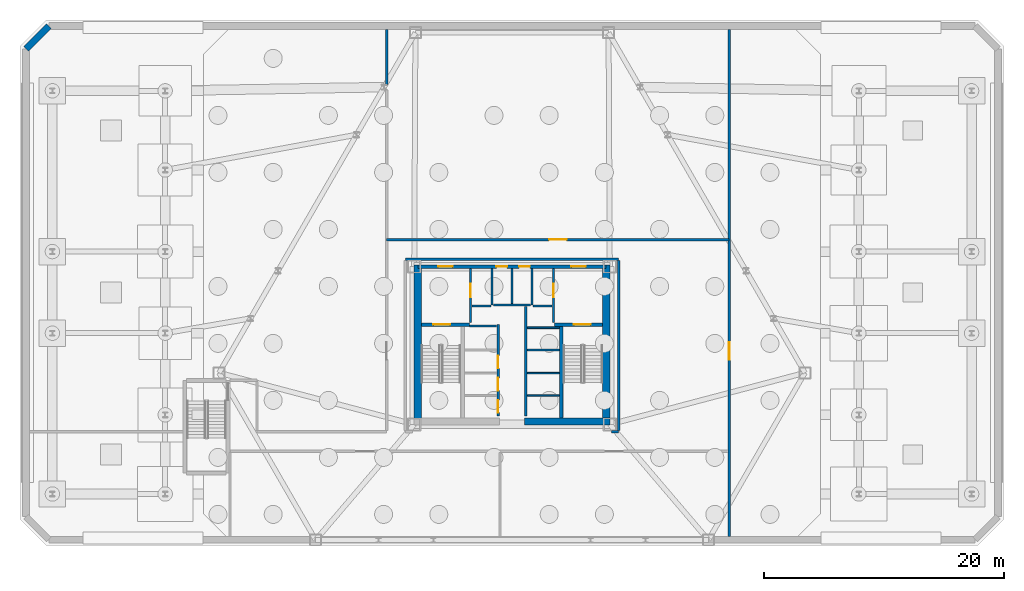
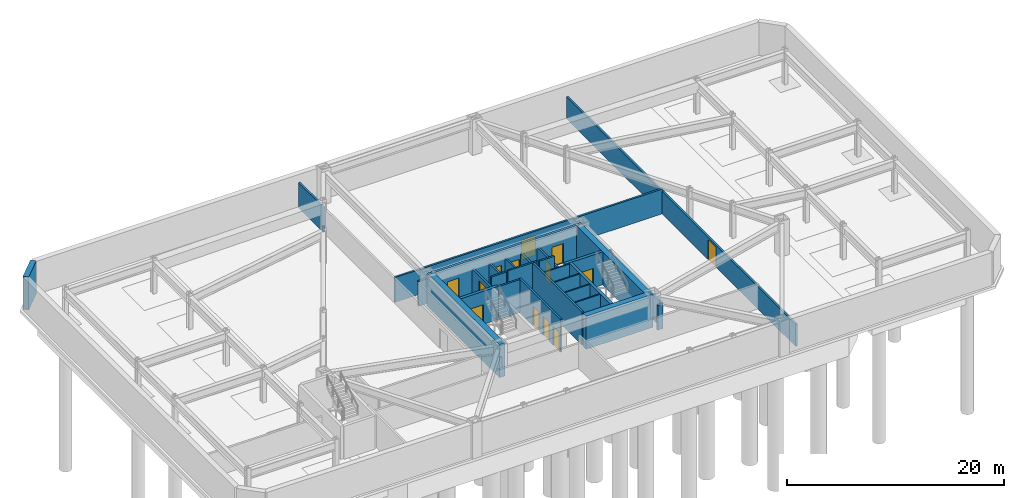
# One storey, part 6 of 8: 29 walls, 13 doors, 13 openings.
"""IFC4 building model written with IfcOpenShell, lengths in metres."""

import ifcopenshell
import ifcopenshell.guid

model = None  # the IFC model being written
_history = None  # IfcOwnerHistory: only IFC2X3 demands one
_inside = {}  # id of a spatial element -> (the spatial element, [elements in it])
_under = {}  # id of a project, library or spatial element -> (it, [spatial elements below it])
_declared = {}  # id of a project -> (the project, [libraries it declares])
_typed = {}  # id of a type object -> (the type object, [elements of that type])
_made_of = {}  # id of a material, layer set ... -> (it, [elements and type objects made of it])


def new_model(schema):
    """Start an empty IFC model of exactly this schema.

    Asked for "IFC4X3", IfcOpenShell would pick the latest addendum, in which some entities
    have other attributes; the version numbers below select the first issue.
    IFC2X3 requires an IfcOwnerHistory on every rooted entity: one is made here for all.
    """
    global model, _history
    if schema == "IFC4X3":
        model = ifcopenshell.file(schema_version=(4, 3, 0, 0))
    else:
        model = ifcopenshell.file(schema=schema)
    _inside.clear()
    _under.clear()
    _declared.clear()
    _typed.clear()
    _made_of.clear()
    _history = None
    if model.schema == "IFC2X3":
        org = make("IfcOrganization", Name="unknown")
        user = make(
            "IfcPersonAndOrganization",
            ThePerson=make("IfcPerson", FamilyName="unknown"),
            TheOrganization=org,
        )
        app = make(
            "IfcApplication",
            ApplicationDeveloper=org,
            Version="unknown",
            ApplicationFullName="unknown",
            ApplicationIdentifier="unknown",
        )
        _history = make(
            "IfcOwnerHistory",
            OwningUser=user,
            OwningApplication=app,
            ChangeAction="ADDED",
            CreationDate=0,
        )
    return model


def make(cls, **values):
    """One entity of the class cls with the attributes given. An attribute that is None is left unset."""
    return model.create_entity(
        cls, **{name: value for name, value in values.items() if value is not None}
    )


def rooted(cls, **values):
    """An entity with a GlobalId (a new one), such as an element, a storey or a relation."""
    return make(cls, GlobalId=ifcopenshell.guid.new(), OwnerHistory=_history, **values)


def si_unit(unit_type, name, prefix=None):
    """IfcSIUnit, for example si_unit("LENGTHUNIT", "METRE", prefix="MILLI")."""
    return make("IfcSIUnit", UnitType=unit_type, Prefix=prefix, Name=name)


def assignment(units):
    """IfcUnitAssignment: the units of a project."""
    return None if units is None else make("IfcUnitAssignment", Units=units)


def point(xyz):
    """IfcCartesianPoint."""
    return None if xyz is None else make("IfcCartesianPoint", Coordinates=xyz)


def direction(xyz):
    """IfcDirection."""
    return None if xyz is None else make("IfcDirection", DirectionRatios=xyz)


def frame(location, z_axis=None, x_axis=None):
    """IfcAxis2Placement3D, a coordinate frame: its origin and axes. An axis left out is left unset."""
    return make(
        "IfcAxis2Placement3D",
        Location=point(location),
        Axis=direction(z_axis),
        RefDirection=direction(x_axis),
    )


def frame_2d(location, x_axis=None):
    """IfcAxis2Placement2D, a coordinate frame in the plane: its origin and x axis."""
    return make(
        "IfcAxis2Placement2D", Location=point(location), RefDirection=direction(x_axis)
    )


def origin():
    """The frame at (0, 0, 0) with its axes left unset."""
    return frame((0.0, 0.0, 0.0))


def place(relative_to, where):
    """IfcLocalPlacement: puts the frame where relative to a parent placement (None: the world)."""
    return make(
        "IfcLocalPlacement", PlacementRelTo=relative_to, RelativePlacement=where
    )


def context(
    kind, dimensions, precision=None, world=None, true_north=None, identifier=None
):
    """IfcGeometricRepresentationContext, for example the 3D "Model" context."""
    return make(
        "IfcGeometricRepresentationContext",
        ContextIdentifier=identifier,
        ContextType=kind,
        CoordinateSpaceDimension=dimensions,
        Precision=precision,
        WorldCoordinateSystem=world,
        TrueNorth=true_north,
    )


def subcontext(parent, identifier, kind, view, scale=None):
    """IfcGeometricRepresentationSubContext, for example "Body" below "Model"."""
    return make(
        "IfcGeometricRepresentationSubContext",
        ContextIdentifier=identifier,
        ContextType=kind,
        ParentContext=parent,
        TargetScale=scale,
        TargetView=view,
    )


def project(units=None, contexts=None):
    """IfcProject with its units and contexts."""
    return rooted(
        "IfcProject",
        Name="project",
        RepresentationContexts=contexts,
        UnitsInContext=assignment(units),
    )


def spatial(cls, under=None, at=None, **own):
    """A site, building, storey or space (cls), placed at a placement, below another one or the project."""
    s = rooted(cls, ObjectPlacement=at, **own)
    if under is not None:
        _under.setdefault(under.id(), (under, []))[1].append(s)
    return s


def profile(cls, at=None, kind="AREA", **sizes):
    """A parametric profile (cls). Its sizes go by their IFC names, for example OverallWidth=200.0."""
    return make(cls, ProfileType=kind, Position=at, **sizes)


def rectangle(**sizes):
    """IfcRectangleProfileDef."""
    return profile("IfcRectangleProfileDef", **sizes)


def extrude(swept, where, along, depth):
    """IfcExtrudedAreaSolid: the profile swept, set in the frame where, extruded along a direction by depth."""
    return make(
        "IfcExtrudedAreaSolid",
        SweptArea=swept,
        Position=where,
        ExtrudedDirection=direction(along),
        Depth=depth,
    )


def shape(context_of_items, identifier, shape_type, items):
    """IfcShapeRepresentation: the items that make up one representation, for example the "Body"."""
    return make(
        "IfcShapeRepresentation",
        ContextOfItems=context_of_items,
        RepresentationIdentifier=identifier,
        RepresentationType=shape_type,
        Items=items,
    )


def material(Name=None, Category=None):
    """IfcMaterial."""
    return make("IfcMaterial", Name=Name, Category=Category)


def layer(
    of_material, thickness, ventilated=None, Name=None, Category=None, Priority=None
):
    """IfcMaterialLayer: one layer of a wall or slab, of a material (None: an air gap)."""
    return make(
        "IfcMaterialLayer",
        Material=of_material,
        LayerThickness=thickness,
        IsVentilated=ventilated,
        Name=Name,
        Category=Category,
        Priority=Priority,
    )


def layer_set(layers, Name=None):
    """IfcMaterialLayerSet."""
    return make("IfcMaterialLayerSet", MaterialLayers=layers, LayerSetName=Name)


def made_of(thing, what):
    """Note that an element or type object is made of a material, layer set ...; save() writes the relation."""
    if what is not None:
        _made_of.setdefault(what.id(), (what, []))[1].append(thing)
    return thing


def type_object(cls, material=None, **own):
    """A type object (cls), such as IfcWallType, which elements share."""
    return made_of(rooted(cls, **own), material)


def element(
    cls,
    number,
    at=None,
    inside=None,
    cuts=None,
    type_object=None,
    material=None,
    context=None,
    identifier="Body",
    shape_type=None,
    held_by="IfcProductDefinitionShape",
    body=None,
    shapes=None,
    **own,
):
    """One element of the class cls, such as IfcWall. Its Tag is "e" and its number.

    at: its placement. inside: the storey or other place that contains it. cuts: it is an
    opening in that element (IfcRelVoidsElement). A single representation is given by context,
    identifier, shape_type and body (its items); several are given by shapes. held_by: the class
    of the entity that holds the representations. save() writes the other relations.
    """
    e = rooted(cls, Tag="e%d" % number, ObjectPlacement=at, **own)
    if body is not None:
        shapes = [shape(context, identifier, shape_type, body)]
    if shapes is not None:
        e.Representation = make(held_by, Representations=shapes)
    if inside is not None:
        _inside.setdefault(inside.id(), (inside, []))[1].append(e)
    if cuts is not None:
        rooted(
            "IfcRelVoidsElement", RelatingBuildingElement=cuts, RelatedOpeningElement=e
        )
    if type_object is not None:
        _typed.setdefault(type_object.id(), (type_object, []))[1].append(e)
    return made_of(e, material)


def fill(opening, filler):
    """IfcRelFillsElement: the door or window that sits in an opening."""
    return rooted(
        "IfcRelFillsElement",
        RelatingOpeningElement=opening,
        RelatedBuildingElement=filler,
    )


def aggregate(whole, parts):
    """IfcRelAggregates: a whole, such as a stair, and the parts it consists of."""
    return rooted("IfcRelAggregates", RelatingObject=whole, RelatedObjects=parts)


def save(model, path):
    """Write the relations noted so far, then the file.

    IfcRelAggregates (storeys below a building ...), IfcRelContainedInSpatialStructure (elements
    in a storey), IfcRelDefinesByType, IfcRelAssociatesMaterial and IfcRelDeclares: one each for
    every whole, place, type object, material and project.
    """
    for whole, parts in _under.values():
        aggregate(whole, parts)
    for where, things in _inside.values():
        rooted(
            "IfcRelContainedInSpatialStructure",
            RelatedElements=things,
            RelatingStructure=where,
        )
    for kind, things in _typed.values():
        rooted("IfcRelDefinesByType", RelatedObjects=things, RelatingType=kind)
    for what, things in _made_of.values():
        rooted("IfcRelAssociatesMaterial", RelatedObjects=things, RelatingMaterial=what)
    for by, libraries in _declared.values():
        rooted("IfcRelDeclares", RelatingContext=by, RelatedDefinitions=libraries)
    model.write(path)


model = new_model("IFC4")

# Units and contexts
model_context = context("Model", 3, precision=1e-05, world=origin(), true_north=direction((0.0, 1.0)))
body_context = subcontext(model_context, "Body", "Model", "MODEL_VIEW")
ifc_project = project(units=[si_unit("LENGTHUNIT", "METRE"), si_unit("AREAUNIT", "SQUARE_METRE"), si_unit("VOLUMEUNIT", "CUBIC_METRE"), si_unit("PLANEANGLEUNIT", "RADIAN"), si_unit("MASSUNIT", "GRAM", prefix="KILO")], contexts=[model_context])

# Site, building, storey
site_placement = place(None, origin())
site = spatial("IfcSite", under=ifc_project, at=site_placement, CompositionType="ELEMENT")
building_placement = place(site_placement, origin())
building = spatial("IfcBuilding", under=site, at=building_placement, Name="Oramaril Tower", CompositionType="ELEMENT")
storey_placement = place(building_placement, frame((0.0, 0.0, -8.0)))
storey = spatial("IfcBuildingStorey", under=building, at=storey_placement, Name="B02", CompositionType="ELEMENT", Elevation=-8.0)

# Walls
ifc_material_1 = material(Name="Acoustic Gypsum Board Partition")
ifc_layer_1 = layer(ifc_material_1, 0.139892578125)
ifc_layer_set_1 = layer_set([ifc_layer_1], Name="WT-PT14")
wall_type_1 = type_object("IfcWallType", Name="WT-PT14", PredefinedType="PARTITIONING", material=ifc_layer_set_1)
for number, where, z_axis, x_axis, name in (
    (1, (38.780029296875, 13.419921875, 0.0), (0.0, 0.0, 1.0), (1.0, 0.0, 0.0), "B02 East Lift Divider"),
    (2, (38.780029296875, 15.27001953125, 0.0), (0.0, 0.0, 1.0), (1.0, 0.0, 0.0), "B02 East Lift Divider"),
    (3, (38.780029296875, 17.199951171875, 0.0), (0.0, 0.0, 1.0), (1.0, 0.0, 0.0), "B02 East Lift Divider"),
    (4, (38.780029296875, 19.050048828125, 0.0), (0.0, 0.0, 1.0), (1.0, 0.0, 0.0), "B02 East Lift Divider"),
):
    element("IfcWall", number, at=place(storey_placement, frame(where, z_axis=z_axis, x_axis=x_axis)), inside=storey, type_object=wall_type_1, Name=name, PredefinedType="PARTITIONING", context=body_context, shape_type="SweptSolid", body=[
        extrude(rectangle(XDim=2.659912109375, YDim=0.139892578125, at=frame_2d((1.330078125, 0.0))), origin(), (0.0, 0.0, 1.0), 3.719970703125),
    ])
wall_1_placement = place(storey_placement, frame((37.5, 21.06005859375, 0.0), z_axis=(0.0, 0.0, 1.0), x_axis=(0.0, 1.0, 0.0)))
element("IfcWall", 5, at=wall_1_placement, inside=storey, type_object=wall_type_1, Name="B02 Core Service Divider", PredefinedType="PARTITIONING", context=body_context, shape_type="SweptSolid", body=[
    extrude(rectangle(XDim=2.919921875, YDim=0.139892578125, at=frame_2d((1.4599609375, 0.0))), origin(), (0.0, 0.0, 1.0), 2.760009765625),
])
ifc_material_2 = material(Name="Autoclaved Cellular Concrete Block", Category="concrete")
ifc_layer_2 = layer(ifc_material_2, 0.179931640625)
ifc_layer_set_2 = layer_set([ifc_layer_2], Name="WT-PT18")
wall_type_2 = type_object("IfcWallType", Name="WT-PT18", PredefinedType="PARTITIONING", material=ifc_layer_set_2)
wall_2_placement = place(storey_placement, frame((35.840087890625, 20.9599609375, 0.0), z_axis=(0.0, 0.0, 1.0), x_axis=(0.0, 1.0, 0.0)))
element("IfcWall", 6, at=wall_2_placement, inside=storey, type_object=wall_type_2, Name="B02 FL-1 East Shaft Wall", PredefinedType="PARTITIONING", context=body_context, shape_type="SweptSolid", body=[
    extrude(rectangle(XDim=3.02001953125, YDim=0.179931640625, at=frame_2d((1.510009765625, 0.0))), origin(), (0.0, 0.0, 1.0), 2.760009765625),
])
wall_3_placement = place(storey_placement, frame((34.159912109375, 20.860107421875, 0.0), z_axis=(0.0, 0.0, 1.0), x_axis=(1.0, 0.0, 0.0)))
element("IfcWall", 7, at=wall_3_placement, inside=storey, type_object=wall_type_2, Name="B02 FL-1 South Shaft Wall", PredefinedType="PARTITIONING", context=body_context, shape_type="SweptSolid", body=[
    extrude(rectangle(XDim=1.580078125, YDim=0.179931640625, at=frame_2d((0.7900390625, 0.0))), origin(), (0.0, 0.0, 1.0), 3.719970703125),
])
wall_4_placement = place(storey_placement, frame((39.159912109375, 20.9599609375, 0.0), z_axis=(0.0, 0.0, 1.0), x_axis=(0.0, 1.0, 0.0)))
element("IfcWall", 8, at=wall_4_placement, inside=storey, type_object=wall_type_2, Name="B02 FL-2 West Shaft Wall", PredefinedType="PARTITIONING", context=body_context, shape_type="SweptSolid", body=[
    extrude(rectangle(XDim=3.02001953125, YDim=0.179931640625, at=frame_2d((1.510009765625, 0.0))), origin(), (0.0, 0.0, 1.0), 2.760009765625),
])
wall_5_placement = place(storey_placement, frame((39.260009765625, 20.860107421875, 0.0), z_axis=(0.0, 0.0, 1.0), x_axis=(1.0, 0.0, 0.0)))
element("IfcWall", 9, at=wall_5_placement, inside=storey, type_object=wall_type_2, Name="B02 FL-2 South Shaft Wall", PredefinedType="PARTITIONING", context=body_context, shape_type="SweptSolid", body=[
    extrude(rectangle(XDim=1.580078125, YDim=0.179931640625, at=frame_2d((0.7900390625, 0.0))), origin(), (0.0, 0.0, 1.0), 3.719970703125),
])
wall_6_placement = place(storey_placement, frame((33.949951171875, 19.199951171875, 0.0), z_axis=(0.0, 0.0, 1.0), x_axis=(1.0, 0.0, 0.0)))
element("IfcWall", 10, at=wall_6_placement, inside=storey, type_object=wall_type_2, Name="B02 High-Rise Lift H1 North Shaft Wall", PredefinedType="PARTITIONING", context=body_context, shape_type="SweptSolid", body=[
    extrude(rectangle(XDim=2.27001953125, YDim=0.179931640625, at=frame_2d((1.135009765625, 0.0))), origin(), (0.0, 0.0, 1.0), 3.719970703125),
])
wall_7_placement = place(storey_placement, frame((35.949951171875, 20.949951171875, 0.0), z_axis=(0.0, 0.0, 1.0), x_axis=(1.0, 0.0, 0.0)))
element("IfcWall", 11, at=wall_7_placement, inside=storey, type_object=wall_type_2, Name="B02 Lift Lobby North Partition", PredefinedType="PARTITIONING", context=body_context, shape_type="SweptSolid", body=[
    extrude(rectangle(XDim=3.10009765625, YDim=0.179931640625, at=frame_2d((1.550048828125, 0.0))), origin(), (0.0, 0.0, 1.0), 3.719970703125),
])
ifc_material_3 = material(Name="Autoclaved Cellular Concrete Block", Category="concrete")
ifc_layer_3 = layer(ifc_material_3, 0.199951171875)
ifc_layer_set_3 = layer_set([ifc_layer_3], Name="WT-PT20")
wall_type_3 = type_object("IfcWallType", Name="WT-PT20", PredefinedType="PARTITIONING", material=ifc_layer_set_3)
wall_8_placement = place(storey_placement, frame((45.800048828125, 10.39990234375, 0.0), z_axis=(0.0, 0.0, 1.0), x_axis=(1.0, 0.0, 0.0)))
element("IfcWall", 12, at=wall_8_placement, inside=storey, type_object=wall_type_3, Name="B02 Interior Partition PT-20", PredefinedType="PARTITIONING", context=body_context, shape_type="SweptSolid", body=[
    extrude(rectangle(XDim=0.579833984375, YDim=0.199951171875, at=frame_2d((0.2900390625, 0.0))), origin(), (0.0, 0.0, 1.0), 2.782958984375),
])
wall_9_placement = place(storey_placement, frame((28.6201171875, 24.75, 0.0), z_axis=(0.0, 0.0, 1.0), x_axis=(1.0, 0.0, 0.0)))
element("IfcWall", 13, at=wall_9_placement, inside=storey, type_object=wall_type_3, Name="B02 Interior Partition PT-20", PredefinedType="PARTITIONING", context=body_context, shape_type="SweptSolid", body=[
    extrude(rectangle(XDim=17.759765625, YDim=0.199951171875, at=frame_2d((8.8798828125, 0.0))), origin(), (0.0, 0.0, 1.0), 2.782958984375),
])

# Wall, opening, door
wall_10_placement = place(storey_placement, frame((27.050048828125, 26.39990234375, 0.0), z_axis=(0.0, 0.0, 1.0), x_axis=(1.0, 0.0, 0.0)))
wall_10 = element("IfcWall", 14, at=wall_10_placement, inside=storey, type_object=wall_type_3, Name="B02 Interior Partition PT-20", PredefinedType="PARTITIONING", context=body_context, shape_type="SweptSolid", body=[
    extrude(rectangle(XDim=28.550048828125, YDim=0.199951171875, at=frame_2d((14.27490234375, 0.0))), origin(), (0.0, 0.0, 1.0), 2.782958984375),
])
opening_1_placement = place(wall_10_placement, frame((13.550048828125, 0.0, 0.0)))
opening_1 = element("IfcOpeningElement", 15, at=opening_1_placement, cuts=wall_10, Name="Opening D-B02-03", PredefinedType="OPENING", context=body_context, shape_type="SweptSolid", body=[
    extrude(rectangle(XDim=1.449951171875, YDim=2.25, at=frame_2d((0.72509765625, 1.125))), frame((0.0, 0.10009765625, 0.0), z_axis=(0.0, -1.0, 0.0), x_axis=(1.0, 0.0, 0.0)), (0.0, 0.0, 1.0), 0.199951171875),
])
ifc_material_4 = material(Name="Painted Galvanised Steel", Category="steel")
door_type_1 = type_object("IfcDoorType", Name="DT-PLT", OperationType="NOTDEFINED", PredefinedType="DOOR", material=ifc_material_4)
door_1_placement = place(opening_1_placement, origin())
door_1 = element("IfcDoor", 16, at=door_1_placement, inside=storey, type_object=door_type_1, Name="B02 B02 Fire Pump and Greywater Plant Room Door D-B02-03", OperationType="SINGLE_SWING_RIGHT", OverallHeight=2.25, OverallWidth=1.449951171875, PredefinedType="DOOR", context=body_context, shape_type="SweptSolid", body=[
    extrude(rectangle(XDim=1.449951171875, YDim=2.25, at=frame_2d((0.72509765625, 1.125))), frame((0.0, 0.02490234375, 0.0), z_axis=(0.0, -1.0, 0.0), x_axis=(1.0, 0.0, 0.0)), (0.0, 0.0, 1.0), 0.050048828125),
])
fill(opening_1, door_1)

# Walls
wall_11_placement = place(storey_placement, frame((27.050048828125, 39.33154296875, 0.0), z_axis=(0.0, 0.0, 1.0), x_axis=(0.0, 1.0, 0.0)))
element("IfcWall", 17, at=wall_11_placement, inside=storey, type_object=wall_type_3, Name="B02 Interior Partition PT-20", PredefinedType="PARTITIONING", context=body_context, shape_type="SweptSolid", body=[
    extrude(rectangle(XDim=4.58935546875, YDim=0.199951171875, at=frame_2d((2.294677734375, 0.0))), origin(), (0.0, 0.0, 1.0), 2.85400390625),
])
wall_12_placement = place(storey_placement, frame((46.3798828125, 10.50390625, 0.0), z_axis=(0.0, 0.0, 1.0), x_axis=(0.0, 1.0, 0.0)))
element("IfcWall", 18, at=wall_12_placement, inside=storey, type_object=wall_type_3, Name="B02 Interior Partition PT-20", PredefinedType="PARTITIONING", context=body_context, shape_type="SweptSolid", body=[
    extrude(rectangle(XDim=14.14208984375, YDim=0.199951171875, at=frame_2d((7.071044921875, 0.0))), origin(), (0.0, 0.0, 1.0), 2.782958984375),
])

# Wall, opening, door
wall_13_placement = place(storey_placement, frame((55.60009765625, 1.678955078125, 0.0), z_axis=(0.0, 0.0, 1.0), x_axis=(0.0, 1.0, 0.0)))
wall_13 = element("IfcWall", 19, at=wall_13_placement, inside=storey, type_object=wall_type_3, Name="B02 Interior Partition PT-20", PredefinedType="PARTITIONING", context=body_context, shape_type="SweptSolid", body=[
    extrude(rectangle(XDim=42.241943359375, YDim=0.199951171875, at=frame_2d((21.12109375, 0.0))), origin(), (0.0, 0.0, 1.0), 2.510009765625),
])
opening_2_placement = place(wall_13_placement, frame((14.725341796875, 0.0, 0.0)))
opening_2 = element("IfcOpeningElement", 20, at=opening_2_placement, cuts=wall_13, Name="Opening D-B02-05", PredefinedType="OPENING", context=body_context, shape_type="SweptSolid", body=[
    extrude(rectangle(XDim=1.449951171875, YDim=2.25, at=frame_2d((0.72509765625, 1.125))), frame((0.0, 0.10009765625, 0.0), z_axis=(0.0, -1.0, 0.0), x_axis=(1.0, 0.0, 0.0)), (0.0, 0.0, 1.0), 0.199951171875),
])
door_2_placement = place(opening_2_placement, origin())
door_2 = element("IfcDoor", 21, at=door_2_placement, inside=storey, type_object=door_type_1, Name="B02 B02 Mechanical Switchgear Plant Room Door D-B02-05", OperationType="SINGLE_SWING_RIGHT", OverallHeight=2.25, OverallWidth=1.449951171875, PredefinedType="DOOR", context=body_context, shape_type="SweptSolid", body=[
    extrude(rectangle(XDim=1.449951171875, YDim=2.25, at=frame_2d((0.72509765625, 1.125))), frame((0.0, 0.02490234375, 0.0), z_axis=(0.0, -1.0, 0.0), x_axis=(1.0, 0.0, 0.0)), (0.0, 0.0, 1.0), 0.050048828125),
])
fill(opening_2, door_2)

# Wall
ifc_material_5 = material(Name="Concrete C50/60", Category="concrete")
ifc_layer_4 = layer(ifc_material_5, 0.550048828125)
ifc_layer_set_4 = layer_set([ifc_layer_4], Name="WT-RET55")
wall_type_4 = type_object("IfcWallType", Name="WT-RET55", PredefinedType="USERDEFINED", material=ifc_layer_set_4)
wall_14_placement = place(storey_placement, frame((-1.093017578125, 44.199951171875, 0.0), z_axis=(0.0, 0.0, 1.0), x_axis=(-0.707106781187, -0.707106781187, 0.0)))
element("IfcWall", 22, at=wall_14_placement, inside=storey, type_object=wall_type_4, Name="B02 Perimeter Retaining Wall RW-06", ObjectType="RETAININGWALL", PredefinedType="USERDEFINED", context=body_context, shape_type="SweptSolid", body=[
    extrude(rectangle(XDim=2.69677734375, YDim=0.550048828125, at=frame_2d((1.348388671875, 0.0))), origin(), (0.0, 0.0, 1.0), 3.719970703125),
])

# Wall, openings, doors
ifc_material_6 = material(Name="Concrete C50/60", Category="concrete")
ifc_layer_5 = layer(ifc_material_6, 0.300048828125)
ifc_layer_set_5 = layer_set([ifc_layer_5], Name="WT-SH30")
wall_type_5 = type_object("IfcWallType", Name="WT-SH30", PredefinedType="SHEAR", material=ifc_layer_set_5)
wall_15_placement = place(storey_placement, frame((29.64990234375, 24.14990234375, 0.0), z_axis=(0.0, 0.0, 1.0), x_axis=(1.0, 0.0, 0.0)))
wall_15 = element("IfcWall", 23, at=wall_15_placement, inside=storey, type_object=wall_type_5, Name="B02 Core Shear Wall CW-N", PredefinedType="SHEAR", context=body_context, shape_type="SweptSolid", body=[
    extrude(rectangle(XDim=15.7001953125, YDim=0.300048828125, at=frame_2d((7.85009765625, 0.0))), origin(), (0.0, 0.0, 1.0), 3.719970703125),
])
opening_3_placement = place(wall_15_placement, frame((1.699951171875, 0.0, 0.0)))
opening_3 = element("IfcOpeningElement", 24, at=opening_3_placement, cuts=wall_15, Name="Opening D-B02-FFL1", PredefinedType="OPENING", context=body_context, shape_type="SweptSolid", body=[
    extrude(rectangle(XDim=1.199951171875, YDim=2.199951171875, at=frame_2d((0.60009765625, 1.10009765625))), frame((0.0, 0.14990234375, 0.0), z_axis=(0.0, -1.0, 0.0), x_axis=(1.0, 0.0, 0.0)), (0.0, 0.0, 1.0), 0.300048828125),
])
opening_4_placement = place(wall_15_placement, frame((12.800048828125, 0.0, 0.0)))
opening_4 = element("IfcOpeningElement", 25, at=opening_4_placement, cuts=wall_15, Name="Opening D-B02-FFL2", PredefinedType="OPENING", context=body_context, shape_type="SweptSolid", body=[
    extrude(rectangle(XDim=1.199951171875, YDim=2.199951171875, at=frame_2d((0.60009765625, 1.10009765625))), frame((0.0, 0.14990234375, 0.0), z_axis=(0.0, -1.0, 0.0), x_axis=(1.0, 0.0, 0.0)), (0.0, 0.0, 1.0), 0.300048828125),
])
opening_5_placement = place(wall_15_placement, frame((6.550048828125, 0.0, 0.0)))
opening_5 = element("IfcOpeningElement", 26, at=opening_5_placement, cuts=wall_15, Name="Opening D-B02-SV1", PredefinedType="OPENING", context=body_context, shape_type="SweptSolid", body=[
    extrude(rectangle(XDim=0.89990234375, YDim=2.050048828125, at=frame_2d((0.449951171875, 1.02490234375))), frame((0.0, 0.14990234375, 0.0), z_axis=(0.0, -1.0, 0.0), x_axis=(1.0, 0.0, 0.0)), (0.0, 0.0, 1.0), 0.300048828125),
])
opening_6_placement = place(wall_15_placement, frame((8.449951171875, 0.0, 0.0)))
opening_6 = element("IfcOpeningElement", 27, at=opening_6_placement, cuts=wall_15, Name="Opening D-B02-SV2", PredefinedType="OPENING", context=body_context, shape_type="SweptSolid", body=[
    extrude(rectangle(XDim=0.89990234375, YDim=2.050048828125, at=frame_2d((0.449951171875, 1.02490234375))), frame((0.0, 0.14990234375, 0.0), z_axis=(0.0, -1.0, 0.0), x_axis=(1.0, 0.0, 0.0)), (0.0, 0.0, 1.0), 0.300048828125),
])
ifc_material_7 = material(Name="Painted Galvanised Steel", Category="steel")
door_type_2 = type_object("IfcDoorType", Name="DT-FFL", OperationType="NOTDEFINED", PredefinedType="DOOR", material=ifc_material_7)
door_3_placement = place(opening_3_placement, origin())
door_3 = element("IfcDoor", 28, at=door_3_placement, inside=storey, type_object=door_type_2, Name="B02 Firefighting Lobby 1 Fire Door", OperationType="SINGLE_SWING_LEFT", OverallHeight=2.199951171875, OverallWidth=1.199951171875, PredefinedType="DOOR", context=body_context, shape_type="SweptSolid", body=[
    extrude(rectangle(XDim=1.199951171875, YDim=2.199951171875, at=frame_2d((0.60009765625, 1.10009765625))), frame((0.0, 0.02490234375, 0.0), z_axis=(0.0, -1.0, 0.0), x_axis=(1.0, 0.0, 0.0)), (0.0, 0.0, 1.0), 0.050048828125),
])
fill(opening_3, door_3)
door_4_placement = place(opening_4_placement, origin())
door_4 = element("IfcDoor", 29, at=door_4_placement, inside=storey, type_object=door_type_2, Name="B02 Firefighting Lobby 2 Fire Door", OperationType="SINGLE_SWING_RIGHT", OverallHeight=2.199951171875, OverallWidth=1.199951171875, PredefinedType="DOOR", context=body_context, shape_type="SweptSolid", body=[
    extrude(rectangle(XDim=1.199951171875, YDim=2.199951171875, at=frame_2d((0.60009765625, 1.10009765625))), frame((0.0, 0.02490234375, 0.0), z_axis=(0.0, -1.0, 0.0), x_axis=(1.0, 0.0, 0.0)), (0.0, 0.0, 1.0), 0.050048828125),
])
fill(opening_4, door_4)
ifc_material_8 = material(Name="Painted Galvanised Steel", Category="steel")
door_type_3 = type_object("IfcDoorType", Name="DT-SVC", OperationType="NOTDEFINED", PredefinedType="DOOR", material=ifc_material_8)
door_5_placement = place(opening_5_placement, origin())
door_5 = element("IfcDoor", 30, at=door_5_placement, inside=storey, type_object=door_type_3, Name="B02 Core Service Store 1 Door", OperationType="SINGLE_SWING_LEFT", OverallHeight=2.050048828125, OverallWidth=0.89990234375, PredefinedType="DOOR", context=body_context, shape_type="SweptSolid", body=[
    extrude(rectangle(XDim=0.89990234375, YDim=2.050048828125, at=frame_2d((0.449951171875, 1.02490234375))), frame((0.0, 0.02490234375, 0.0), z_axis=(0.0, -1.0, 0.0), x_axis=(1.0, 0.0, 0.0)), (0.0, 0.0, 1.0), 0.050048828125),
])
fill(opening_5, door_5)
door_6_placement = place(opening_6_placement, origin())
door_6 = element("IfcDoor", 31, at=door_6_placement, inside=storey, type_object=door_type_3, Name="B02 Core Service Store 2 Door", OperationType="SINGLE_SWING_RIGHT", OverallHeight=2.050048828125, OverallWidth=0.89990234375, PredefinedType="DOOR", context=body_context, shape_type="SweptSolid", body=[
    extrude(rectangle(XDim=0.89990234375, YDim=2.050048828125, at=frame_2d((0.449951171875, 1.02490234375))), frame((0.0, 0.02490234375, 0.0), z_axis=(0.0, -1.0, 0.0), x_axis=(1.0, 0.0, 0.0)), (0.0, 0.0, 1.0), 0.050048828125),
])
fill(opening_6, door_6)

# Wall, opening, door
wall_16_placement = place(storey_placement, frame((29.93994140625, 19.31005859375, 0.0), z_axis=(0.0, 0.0, 1.0), x_axis=(1.0, 0.0, 0.0)))
wall_16 = element("IfcWall", 32, at=wall_16_placement, inside=storey, type_object=wall_type_5, Name="B02 Core Shear Wall CW-ST1N", PredefinedType="SHEAR", context=body_context, shape_type="SweptSolid", body=[
    extrude(rectangle(XDim=4.010009765625, YDim=0.300048828125, at=frame_2d((2.0048828125, 0.0))), origin(), (0.0, 0.0, 1.0), 3.719970703125),
])
opening_7_placement = place(wall_16_placement, frame((1.010009765625, 0.0, 0.0)))
opening_7 = element("IfcOpeningElement", 33, at=opening_7_placement, cuts=wall_16, Name="Opening D-B02-ST1", PredefinedType="OPENING", context=body_context, shape_type="SweptSolid", body=[
    extrude(rectangle(XDim=1.39990234375, YDim=2.199951171875, at=frame_2d((0.699951171875, 1.10009765625))), frame((0.0, 0.14990234375, 0.0), z_axis=(0.0, -1.0, 0.0), x_axis=(1.0, 0.0, 0.0)), (0.0, 0.0, 1.0), 0.300048828125),
])
ifc_material_9 = material(Name="Painted Galvanised Steel", Category="steel")
door_type_4 = type_object("IfcDoorType", Name="DT-ST", OperationType="NOTDEFINED", PredefinedType="DOOR", material=ifc_material_9)
door_7_placement = place(opening_7_placement, origin())
door_7 = element("IfcDoor", 34, at=door_7_placement, inside=storey, type_object=door_type_4, Name="B02 Protected Stair ST-1 Fire Door", OperationType="SINGLE_SWING_LEFT", OverallHeight=2.199951171875, OverallWidth=1.39990234375, PredefinedType="DOOR", context=body_context, shape_type="SweptSolid", body=[
    extrude(rectangle(XDim=1.39990234375, YDim=2.199951171875, at=frame_2d((0.699951171875, 1.10009765625))), frame((0.0, 0.02490234375, 0.0), z_axis=(0.0, -1.0, 0.0), x_axis=(1.0, 0.0, 0.0)), (0.0, 0.0, 1.0), 0.050048828125),
])
fill(opening_7, door_7)

wall_17_placement = place(storey_placement, frame((41.050048828125, 19.31005859375, 0.0), z_axis=(0.0, 0.0, 1.0), x_axis=(1.0, 0.0, 0.0)))
wall_17 = element("IfcWall", 35, at=wall_17_placement, inside=storey, type_object=wall_type_5, Name="B02 Core Shear Wall CW-ST2N", PredefinedType="SHEAR", context=body_context, shape_type="SweptSolid", body=[
    extrude(rectangle(XDim=4.010009765625, YDim=0.300048828125, at=frame_2d((2.0048828125, 0.0))), origin(), (0.0, 0.0, 1.0), 3.719970703125),
])
opening_8_placement = place(wall_17_placement, frame((1.60009765625, 0.0, 0.0)))
opening_8 = element("IfcOpeningElement", 36, at=opening_8_placement, cuts=wall_17, Name="Opening D-B02-ST2", PredefinedType="OPENING", context=body_context, shape_type="SweptSolid", body=[
    extrude(rectangle(XDim=1.39990234375, YDim=2.199951171875, at=frame_2d((0.699951171875, 1.10009765625))), frame((0.0, 0.14990234375, 0.0), z_axis=(0.0, -1.0, 0.0), x_axis=(1.0, 0.0, 0.0)), (0.0, 0.0, 1.0), 0.300048828125),
])
door_8_placement = place(opening_8_placement, origin())
door_8 = element("IfcDoor", 37, at=door_8_placement, inside=storey, type_object=door_type_4, Name="B02 Protected Stair ST-2 Fire Door", OperationType="SINGLE_SWING_RIGHT", OverallHeight=2.199951171875, OverallWidth=1.39990234375, PredefinedType="DOOR", context=body_context, shape_type="SweptSolid", body=[
    extrude(rectangle(XDim=1.39990234375, YDim=2.199951171875, at=frame_2d((0.699951171875, 1.10009765625))), frame((0.0, 0.02490234375, 0.0), z_axis=(0.0, -1.0, 0.0), x_axis=(1.0, 0.0, 0.0)), (0.0, 0.0, 1.0), 0.050048828125),
])
fill(opening_8, door_8)

# Walls
wall_18_placement = place(storey_placement, frame((41.6201171875, 11.5400390625, 0.0), z_axis=(0.0, 0.0, 1.0), x_axis=(0.0, 1.0, 0.0)))
element("IfcWall", 38, at=wall_18_placement, inside=storey, type_object=wall_type_5, Name="B02 Core Shear Wall CW-ST2W", PredefinedType="SHEAR", context=body_context, shape_type="SweptSolid", body=[
    extrude(rectangle(XDim=7.619873046875, YDim=0.300048828125, at=frame_2d((3.81005859375, 0.0))), origin(), (0.0, 0.0, 1.0), 3.719970703125),
])
ifc_material_10 = material(Name="Concrete C50/60", Category="concrete")
ifc_layer_6 = layer(ifc_material_10, 0.60009765625)
ifc_layer_set_6 = layer_set([ifc_layer_6], Name="WT-SH60")
wall_type_6 = type_object("IfcWallType", Name="WT-SH60", PredefinedType="SHEAR", material=ifc_layer_set_6)
for number, where, z_axis, x_axis, name in (
    (39, (29.639892578125, 11.0, 0.0), (0.0, 0.0, 1.0), (0.0, 1.0, 0.0), "B02 Core Shear Wall CW-W"),
    (40, (45.360107421875, 11.0, 0.0), (0.0, 0.0, 1.0), (0.0, 1.0, 0.0), "B02 Core Shear Wall CW-E"),
):
    element("IfcWall", number, at=place(storey_placement, frame(where, z_axis=z_axis, x_axis=x_axis)), inside=storey, type_object=wall_type_6, Name=name, PredefinedType="SHEAR", context=body_context, shape_type="SweptSolid", body=[
        extrude(rectangle(XDim=13.300048828125, YDim=0.60009765625, at=frame_2d((6.64990234375, 0.0))), origin(), (0.0, 0.0, 1.0), 3.719970703125),
    ])
wall_19_placement = place(storey_placement, frame((38.550048828125, 11.239990234375, 0.0), z_axis=(0.0, 0.0, 1.0), x_axis=(1.0, 0.0, 0.0)))
element("IfcWall", 41, at=wall_19_placement, inside=storey, type_object=wall_type_6, Name="B02 Core Shear Wall CW-SE", PredefinedType="SHEAR", context=body_context, shape_type="SweptSolid", body=[
    extrude(rectangle(XDim=7.099853515625, YDim=0.60009765625, at=frame_2d((3.5498046875, 0.0))), origin(), (0.0, 0.0, 1.0), 3.719970703125),
])

# Wall, opening, door
ifc_material_11 = material(Name="Autoclaved Cellular Concrete Block", Category="concrete")
ifc_layer_7 = layer(ifc_material_11, 0.199951171875)
ifc_layer_set_7 = layer_set([ifc_layer_7], Name="WT-SHF20")
wall_type_7 = type_object("IfcWallType", Name="WT-SHF20", PredefinedType="PARTITIONING", material=ifc_layer_set_7)
wall_20_placement = place(storey_placement, frame((34.0400390625, 19.47998046875, 0.0), z_axis=(0.0, 0.0, 1.0), x_axis=(0.0, 1.0, 0.0)))
wall_20 = element("IfcWall", 42, at=wall_20_placement, inside=storey, type_object=wall_type_7, Name="B02 FL-1 Lobby Shaft Wall", PredefinedType="PARTITIONING", context=body_context, shape_type="SweptSolid", body=[
    extrude(rectangle(XDim=4.5, YDim=0.199951171875, at=frame_2d((2.25, 0.0))), origin(), (0.0, 0.0, 1.0), 2.760009765625),
])
opening_9_placement = place(wall_20_placement, frame((2.1201171875, 0.0, 0.0)))
opening_9 = element("IfcOpeningElement", 43, at=opening_9_placement, cuts=wall_20, Name="Opening LD-B02-FL-1", PredefinedType="OPENING", context=body_context, shape_type="SweptSolid", body=[
    extrude(rectangle(XDim=1.10009765625, YDim=2.199951171875, at=frame_2d((0.550048828125, 1.10009765625))), frame((0.0, 0.10009765625, 0.0), z_axis=(0.0, -1.0, 0.0), x_axis=(1.0, 0.0, 0.0)), (0.0, 0.0, 1.0), 0.199951171875),
])
ifc_material_12 = material(Name="Stainless Steel 316L", Category="steel")
door_type_5 = type_object("IfcDoorType", Name="DT-LD1", OperationType="NOTDEFINED", PredefinedType="DOOR", material=ifc_material_12)
door_9_placement = place(opening_9_placement, origin())
door_9 = element("IfcDoor", 44, at=door_9_placement, inside=storey, type_object=door_type_5, Name="B02 Lift FL-1 Sliding Landing Door", OperationType="SLIDING_TO_LEFT", OverallHeight=2.199951171875, OverallWidth=1.10009765625, PredefinedType="DOOR", context=body_context, shape_type="SweptSolid", body=[
    extrude(rectangle(XDim=1.10009765625, YDim=2.199951171875, at=frame_2d((0.550048828125, 1.10009765625))), frame((0.0, 0.02490234375, 0.0), z_axis=(0.0, -1.0, 0.0), x_axis=(1.0, 0.0, 0.0)), (0.0, 0.0, 1.0), 0.050048828125),
])
fill(opening_9, door_9)

wall_21_placement = place(storey_placement, frame((40.9599609375, 19.47998046875, 0.0), z_axis=(0.0, 0.0, 1.0), x_axis=(0.0, 1.0, 0.0)))
wall_21 = element("IfcWall", 45, at=wall_21_placement, inside=storey, type_object=wall_type_7, Name="B02 FL-2 Lobby Shaft Wall", PredefinedType="PARTITIONING", context=body_context, shape_type="SweptSolid", body=[
    extrude(rectangle(XDim=4.5, YDim=0.199951171875, at=frame_2d((2.25, 0.0))), origin(), (0.0, 0.0, 1.0), 2.760009765625),
])
opening_10_placement = place(wall_21_placement, frame((2.1201171875, 0.0, 0.0)))
opening_10 = element("IfcOpeningElement", 46, at=opening_10_placement, cuts=wall_21, Name="Opening LD-B02-FL-2", PredefinedType="OPENING", context=body_context, shape_type="SweptSolid", body=[
    extrude(rectangle(XDim=1.10009765625, YDim=2.199951171875, at=frame_2d((0.550048828125, 1.10009765625))), frame((0.0, 0.10009765625, 0.0), z_axis=(0.0, -1.0, 0.0), x_axis=(1.0, 0.0, 0.0)), (0.0, 0.0, 1.0), 0.199951171875),
])
door_10_placement = place(opening_10_placement, origin())
door_10 = element("IfcDoor", 47, at=door_10_placement, inside=storey, type_object=door_type_5, Name="B02 Lift FL-2 Sliding Landing Door", OperationType="SLIDING_TO_RIGHT", OverallHeight=2.199951171875, OverallWidth=1.10009765625, PredefinedType="DOOR", context=body_context, shape_type="SweptSolid", body=[
    extrude(rectangle(XDim=1.10009765625, YDim=2.199951171875, at=frame_2d((0.550048828125, 1.10009765625))), frame((0.0, 0.02490234375, 0.0), z_axis=(0.0, -1.0, 0.0), x_axis=(1.0, 0.0, 0.0)), (0.0, 0.0, 1.0), 0.050048828125),
])
fill(opening_10, door_10)

# Wall, openings, doors
wall_22_placement = place(storey_placement, frame((36.340087890625, 11.719970703125, 0.0), z_axis=(0.0, 0.0, 1.0), x_axis=(0.0, 1.0, 0.0)))
wall_22 = element("IfcWall", 48, at=wall_22_placement, inside=storey, type_object=wall_type_7, Name="B02 West Lift Bank Front Wall", PredefinedType="PARTITIONING", context=body_context, shape_type="SweptSolid", body=[
    extrude(rectangle(XDim=7.60009765625, YDim=0.199951171875, at=frame_2d((3.800048828125, 0.0))), origin(), (0.0, 0.0, 1.0), 3.719970703125),
])
opening_11_placement = place(wall_22_placement, frame((0.2548828125, 0.0, 0.0)))
opening_11 = element("IfcOpeningElement", 49, at=opening_11_placement, cuts=wall_22, Name="Opening LD-B02-LP-L1", PredefinedType="OPENING", context=body_context, shape_type="SweptSolid", body=[
    extrude(rectangle(XDim=1.050048828125, YDim=2.14990234375, at=frame_2d((0.52490234375, 1.074951171875))), frame((0.0, 0.10009765625, 0.0), z_axis=(0.0, -1.0, 0.0), x_axis=(1.0, 0.0, 0.0)), (0.0, 0.0, 1.0), 0.199951171875),
])
opening_12_placement = place(wall_22_placement, frame((2.10498046875, 0.0, 0.0)))
opening_12 = element("IfcOpeningElement", 50, at=opening_12_placement, cuts=wall_22, Name="Opening LD-B02-LP-L2", PredefinedType="OPENING", context=body_context, shape_type="SweptSolid", body=[
    extrude(rectangle(XDim=1.050048828125, YDim=2.14990234375, at=frame_2d((0.52490234375, 1.074951171875))), frame((0.0, 0.10009765625, 0.0), z_axis=(0.0, -1.0, 0.0), x_axis=(1.0, 0.0, 0.0)), (0.0, 0.0, 1.0), 0.199951171875),
])
opening_13_placement = place(wall_22_placement, frame((3.955078125, 0.0, 0.0)))
opening_13 = element("IfcOpeningElement", 51, at=opening_13_placement, cuts=wall_22, Name="Opening LD-B02-LP-L3", PredefinedType="OPENING", context=body_context, shape_type="SweptSolid", body=[
    extrude(rectangle(XDim=1.050048828125, YDim=2.14990234375, at=frame_2d((0.52490234375, 1.074951171875))), frame((0.0, 0.10009765625, 0.0), z_axis=(0.0, -1.0, 0.0), x_axis=(1.0, 0.0, 0.0)), (0.0, 0.0, 1.0), 0.199951171875),
])
ifc_material_13 = material(Name="Stainless Steel 316L", Category="steel")
door_type_6 = type_object("IfcDoorType", Name="DT-LD2", OperationType="NOTDEFINED", PredefinedType="DOOR", material=ifc_material_13)
door_11_placement = place(opening_11_placement, origin())
door_11 = element("IfcDoor", 52, at=door_11_placement, inside=storey, type_object=door_type_6, Name="B02 Lift LP-L1 Sliding Landing Door", OperationType="SLIDING_TO_LEFT", OverallHeight=2.14990234375, OverallWidth=1.050048828125, PredefinedType="DOOR", context=body_context, shape_type="SweptSolid", body=[
    extrude(rectangle(XDim=1.050048828125, YDim=2.14990234375, at=frame_2d((0.52490234375, 1.074951171875))), frame((0.0, 0.02490234375, 0.0), z_axis=(0.0, -1.0, 0.0), x_axis=(1.0, 0.0, 0.0)), (0.0, 0.0, 1.0), 0.050048828125),
])
fill(opening_11, door_11)
door_12_placement = place(opening_12_placement, origin())
door_12 = element("IfcDoor", 53, at=door_12_placement, inside=storey, type_object=door_type_6, Name="B02 Lift LP-L2 Sliding Landing Door", OperationType="SLIDING_TO_RIGHT", OverallHeight=2.14990234375, OverallWidth=1.050048828125, PredefinedType="DOOR", context=body_context, shape_type="SweptSolid", body=[
    extrude(rectangle(XDim=1.050048828125, YDim=2.14990234375, at=frame_2d((0.52490234375, 1.074951171875))), frame((0.0, 0.02490234375, 0.0), z_axis=(0.0, -1.0, 0.0), x_axis=(1.0, 0.0, 0.0)), (0.0, 0.0, 1.0), 0.050048828125),
])
fill(opening_12, door_12)
door_13_placement = place(opening_13_placement, origin())
door_13 = element("IfcDoor", 54, at=door_13_placement, inside=storey, type_object=door_type_6, Name="B02 Lift LP-L3 Sliding Landing Door", OperationType="SLIDING_TO_LEFT", OverallHeight=2.14990234375, OverallWidth=1.050048828125, PredefinedType="DOOR", context=body_context, shape_type="SweptSolid", body=[
    extrude(rectangle(XDim=1.050048828125, YDim=2.14990234375, at=frame_2d((0.52490234375, 1.074951171875))), frame((0.0, 0.02490234375, 0.0), z_axis=(0.0, -1.0, 0.0), x_axis=(1.0, 0.0, 0.0)), (0.0, 0.0, 1.0), 0.050048828125),
])
fill(opening_13, door_13)

# Wall
wall_23_placement = place(storey_placement, frame((38.659912109375, 11.719970703125, 0.0), z_axis=(0.0, 0.0, 1.0), x_axis=(0.0, 1.0, 0.0)))
element("IfcWall", 55, at=wall_23_placement, inside=storey, type_object=wall_type_7, Name="B02 East Lift Bank Front Wall", PredefinedType="PARTITIONING", context=body_context, shape_type="SweptSolid", body=[
    extrude(rectangle(XDim=9.10009765625, YDim=0.199951171875, at=frame_2d((4.550048828125, 0.0))), origin(), (0.0, 0.0, 1.0), 3.719970703125),
])

save(model, "model.ifc")
